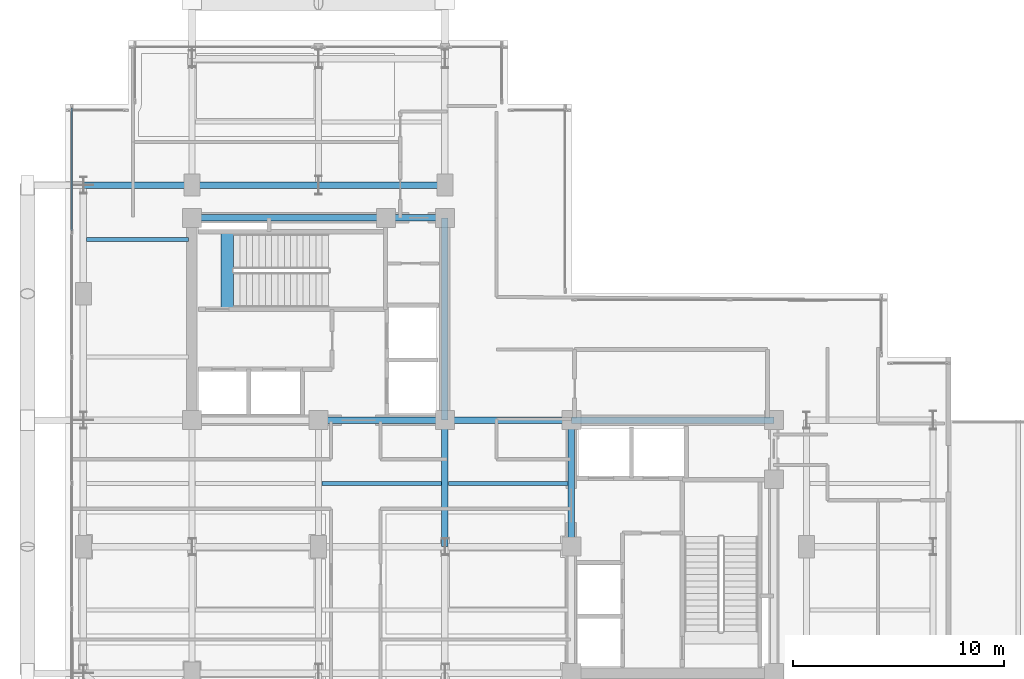
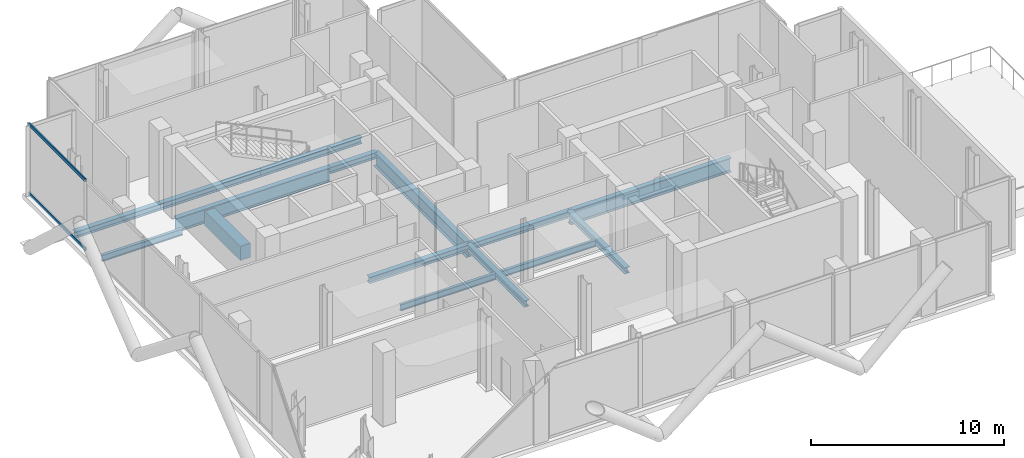
# One storey, part 6 of 19: 15 beams, 2 members, 1 element without a shape of its own.
"""IFC4 building model written with IfcOpenShell, lengths in metres."""

from ifc_helpers import new_model, si_unit, direction, frame, origin, origin_2d, place, context, subcontext, project, spatial, rectangle, hollow_rectangle, i_section, extrude, material, layer, layer_set, material_profile, profile_set, type_object, element, aggregate, save


model = new_model("IFC4")

# Units and contexts
model_context = context("Model", 3, precision=1e-05, world=origin(), true_north=direction((0.0, 1.0)))
body_context = subcontext(model_context, "Body", "Model", "MODEL_VIEW")
ifc_project = project(units=[si_unit("LENGTHUNIT", "METRE"), si_unit("AREAUNIT", "SQUARE_METRE"), si_unit("VOLUMEUNIT", "CUBIC_METRE"), si_unit("PLANEANGLEUNIT", "RADIAN"), si_unit("MASSUNIT", "GRAM", prefix="KILO"), si_unit("THERMODYNAMICTEMPERATUREUNIT", "KELVIN"), si_unit("POWERUNIT", "WATT")], contexts=[model_context])

# Site, building, storey
site_placement = place(None, origin())
site = spatial("IfcSite", under=ifc_project, at=site_placement, CompositionType="ELEMENT")
building_placement = place(site_placement, origin())
building = spatial("IfcBuilding", under=site, at=building_placement, Name="Svarakhadi Broadcast Tower", CompositionType="ELEMENT")
storey_placement = place(building_placement, frame((0.0, 0.0, 204.0)))
storey = spatial("IfcBuildingStorey", under=building, at=storey_placement, Name="L50", CompositionType="ELEMENT", Elevation=204.0)

# Beams
ifc_material_1 = material(Name="Steel S355J2 (IS 2062 E350C)", Category="steel")
ifc_material_profile_1 = material_profile(ifc_material_1, i_section(OverallWidth=0.179931640625, OverallDepth=0.39990234375, WebThickness=0.008544921875, FlangeThickness=0.013427734375, FilletRadius=0.02099609375, at=origin_2d()), Name="NPB 400x180x66")
ifc_profile_set_1 = profile_set([ifc_material_profile_1], Name="Steel S355J2 (IS 2062 E350C)")
beam_type_1 = type_object("IfcBeamType", Name="Beam_NPB400", PredefinedType="BEAM", material=ifc_profile_set_1)
beam_1_placement = place(storey_placement, frame((1.010009765625, 26.574951171875, -0.5), z_axis=(1.0, 0.0, 0.0), x_axis=(0.0, 1.0, 0.0)))
element("IfcBeam", 1, at=beam_1_placement, inside=storey, type_object=beam_type_1, Name="L50 Secondary Composite Beam SB004", PredefinedType="BEAM", context=body_context, shape_type="SweptSolid", body=[
    extrude(i_section(OverallWidth=0.179931640625, OverallDepth=0.39990234375, WebThickness=0.008544921875, FlangeThickness=0.013427734375, FilletRadius=0.02099609375, at=origin_2d()), origin(), (0.0, 0.0, 1.0), 4.830078125),
])
for number, where, z_axis, x_axis, name in (
    (2, (12.159912109375, 15.0, -0.5), (1.0, 0.0, 0.0), (0.0, 1.0, 0.0), "L50 Secondary Composite Beam SB011"),
    (3, (18.159912109375, 15.0, -0.5), (1.0, 0.0, 0.0), (0.0, 1.0, 0.0), "L50 Secondary Composite Beam SB015"),
):
    element("IfcBeam", number, at=place(storey_placement, frame(where, z_axis=z_axis, x_axis=x_axis)), inside=storey, type_object=beam_type_1, Name=name, PredefinedType="BEAM", context=body_context, shape_type="SweptSolid", body=[
        extrude(i_section(OverallWidth=0.179931640625, OverallDepth=0.39990234375, WebThickness=0.008544921875, FlangeThickness=0.013427734375, FilletRadius=0.02099609375, at=origin_2d()), origin(), (0.0, 0.0, 1.0), 5.68017578125),
    ])

# Curtain wall, members
ifc_material_2 = material(Name="Anodised Bronze Aluminium AA 6063-T6", Category="aluminium")
ifc_layer = layer(ifc_material_2, 0.239990234375)
ifc_layer_set = layer_set([ifc_layer], Name="Anodised Bronze Aluminium AA 6063-T6")
curtain_wall_type = type_object("IfcCurtainWallType", Name="CW_Sys_06", PredefinedType="NOTDEFINED", material=ifc_layer_set)
curtain_wall_placement = place(storey_placement, origin())
curtain_wall = element("IfcCurtainWall", 4, at=curtain_wall_placement, inside=storey, type_object=curtain_wall_type, Name="L50 Unitised Facade Curtain Wall 02", PredefinedType="NOTDEFINED")
ifc_material_profile_2 = material_profile(ifc_material_2, hollow_rectangle(XDim=0.080078125, YDim=0.2099609375, WallThickness=0.0048828125, at=origin_2d()), Name="ALU TRANSOM 210x80x5")
ifc_profile_set_2 = profile_set([ifc_material_profile_2], Name="Anodised Bronze Aluminium AA 6063-T6")
member_type = type_object("IfcMemberType", Name="CW_Sys_06_Trn", PredefinedType="USERDEFINED", material=ifc_profile_set_2)
member_1_placement = place(storey_placement, frame((0.300048828125, 26.990966796875, 0.0400390625), z_axis=(0.0, 1.0, 0.0), x_axis=(-1.0, 0.0, 0.0)))
member_1 = element("IfcMember", 5, at=member_1_placement, type_object=member_type, Name="CW-06 transom 5.1", ObjectType="TRANSOM", PredefinedType="USERDEFINED", context=body_context, shape_type="SweptSolid", body=[
    extrude(hollow_rectangle(XDim=0.080078125, YDim=0.2099609375, WallThickness=0.0048828125, at=origin_2d()), origin(), (0.0, 0.0, 1.0), 5.8291015625),
])
member_2_placement = place(storey_placement, frame((0.300048828125, 26.990966796875, 4.39990234375), z_axis=(0.0, 1.0, 0.0), x_axis=(-1.0, 0.0, 0.0)))
member_2 = element("IfcMember", 6, at=member_2_placement, type_object=member_type, Name="CW-06 transom 5.2", ObjectType="TRANSOM", PredefinedType="USERDEFINED", context=body_context, shape_type="SweptSolid", body=[
    extrude(hollow_rectangle(XDim=0.080078125, YDim=0.2099609375, WallThickness=0.0048828125, at=origin_2d()), origin(), (0.0, 0.0, 1.0), 5.8291015625),
])
aggregate(curtain_wall, [member_1, member_2])

# Beams
ifc_material_3 = material(Name="Concrete C50/60 (IS 456 M60)", Category="concrete")
ifc_material_profile_3 = material_profile(ifc_material_3, rectangle(XDim=0.60009765625, YDim=0.89990234375, at=origin_2d()), Name="RC 600x900")
ifc_profile_set_3 = profile_set([ifc_material_profile_3], Name="Concrete C50/60 (IS 456 M60)")
beam_type_2 = type_object("IfcBeamType", Name="Coupling_RC600", PredefinedType="USERDEFINED", material=ifc_profile_set_3)
beam_2_placement = place(storey_placement, frame((7.679931640625, 23.260009765625, -0.449951171875), z_axis=(0.0, 1.0, 0.0), x_axis=(-1.0, 0.0, 0.0)))
element("IfcBeam", 7, at=beam_2_placement, inside=storey, type_object=beam_type_2, Name="L50 Stair ST-01 Landing Throat Trimmer Beam CB-01", ObjectType="GIRDER", PredefinedType="USERDEFINED", context=body_context, shape_type="SweptSolid", body=[
    extrude(rectangle(XDim=0.60009765625, YDim=0.89990234375, at=origin_2d()), origin(), (0.0, 0.0, 1.0), 3.679931640625),
])
ifc_material_profile_4 = material_profile(ifc_material_1, i_section(OverallWidth=0.300048828125, OverallDepth=0.39990234375, WebThickness=0.013427734375, FlangeThickness=0.02392578125, FilletRadius=0.027099609375, at=origin_2d()), Name="WPB 400x300x155")
ifc_profile_set_4 = profile_set([ifc_material_profile_4], Name="Steel S355J2 (IS 2062 E350C)")
beam_type_3 = type_object("IfcBeamType", Name="Girder_WPB400", PredefinedType="USERDEFINED", material=ifc_profile_set_4)
for number, where, z_axis, x_axis, name in (
    (8, (12.0, 18.0, -0.5), (1.0, 0.0, 0.0), (0.0, 1.0, 0.0), "L50 Primary E-W Girder G022"),
    (9, (18.0, 18.0, -0.5), (1.0, 0.0, 0.0), (0.0, 1.0, 0.0), "L50 Primary E-W Girder G023"),
):
    element("IfcBeam", number, at=place(storey_placement, frame(where, z_axis=z_axis, x_axis=x_axis)), inside=storey, type_object=beam_type_3, Name=name, ObjectType="GIRDER", PredefinedType="USERDEFINED", context=body_context, shape_type="SweptSolid", body=[
        extrude(i_section(OverallWidth=0.300048828125, OverallDepth=0.39990234375, WebThickness=0.013427734375, FlangeThickness=0.02392578125, FilletRadius=0.027099609375, at=origin_2d()), origin(), (0.0, 0.0, 1.0), 6.0),
    ])
beam_3_placement = place(storey_placement, frame((15.199951171875, 27.60009765625, -0.5), z_axis=(1.0, 0.0, 0.0), x_axis=(0.0, 1.0, 0.0)))
element("IfcBeam", 10, at=beam_3_placement, inside=storey, type_object=beam_type_3, Name="L50 Primary E-W Girder G027", ObjectType="GIRDER", PredefinedType="USERDEFINED", context=body_context, shape_type="SweptSolid", body=[
    extrude(i_section(OverallWidth=0.300048828125, OverallDepth=0.39990234375, WebThickness=0.013427734375, FlangeThickness=0.02392578125, FilletRadius=0.027099609375, at=origin_2d()), origin(), (0.0, 0.0, 1.0), 2.800048828125),
])
beam_4_placement = place(storey_placement, frame((0.85009765625, 29.14990234375, -0.5), z_axis=(1.0, 0.0, 0.0), x_axis=(0.0, 1.0, 0.0)))
element("IfcBeam", 11, at=beam_4_placement, inside=storey, type_object=beam_type_3, Name="L50 Primary E-W Girder G028", ObjectType="GIRDER", PredefinedType="USERDEFINED", context=body_context, shape_type="SweptSolid", body=[
    extrude(i_section(OverallWidth=0.300048828125, OverallDepth=0.39990234375, WebThickness=0.013427734375, FlangeThickness=0.02392578125, FilletRadius=0.027099609375, at=origin_2d()), origin(), (0.0, 0.0, 1.0), 5.14990234375),
])
for number, where, z_axis, x_axis, name in (
    (12, (6.0, 29.14990234375, -0.5), (1.0, 0.0, 0.0), (0.0, 1.0, 0.0), "L50 Primary E-W Girder G029"),
    (13, (12.0, 29.14990234375, -0.5), (1.0, 0.0, 0.0), (0.0, 1.0, 0.0), "L50 Primary E-W Girder G030"),
    (14, (18.0, 12.0, -0.5), (0.0, 1.0, 0.0), (-1.0, 0.0, 0.0), "L50 Primary N-S Girder G048"),
    (15, (24.0, 12.0, -0.5), (0.0, 1.0, 0.0), (-1.0, 0.0, 0.0), "L50 Primary N-S Girder G053"),
):
    element("IfcBeam", number, at=place(storey_placement, frame(where, z_axis=z_axis, x_axis=x_axis)), inside=storey, type_object=beam_type_3, Name=name, ObjectType="GIRDER", PredefinedType="USERDEFINED", context=body_context, shape_type="SweptSolid", body=[
        extrude(i_section(OverallWidth=0.300048828125, OverallDepth=0.39990234375, WebThickness=0.013427734375, FlangeThickness=0.02392578125, FilletRadius=0.027099609375, at=origin_2d()), origin(), (0.0, 0.0, 1.0), 6.0),
    ])
ifc_material_4 = material(Name="Steel S460ML (IS 2062 E450BR)", Category="steel")
ifc_material_profile_5 = material_profile(ifc_material_4, i_section(OverallWidth=0.300048828125, OverallDepth=0.89990234375, WebThickness=0.0185546875, FlangeThickness=0.034912109375, FilletRadius=0.030029296875, at=origin_2d()), Name="WPB 900x300x291")
ifc_profile_set_5 = profile_set([ifc_material_profile_5], Name="Steel S460ML (IS 2062 E450BR)")
beam_type_4 = type_object("IfcBeamType", Name="Girder_WPB900", PredefinedType="USERDEFINED", material=ifc_profile_set_5)
beam_5_placement = place(storey_placement, frame((24.0, 18.0, -0.75), z_axis=(1.0, 0.0, 0.0), x_axis=(0.0, 1.0, 0.0)))
element("IfcBeam", 16, at=beam_5_placement, inside=storey, type_object=beam_type_4, Name="L50 Primary E-W Girder G024", ObjectType="GIRDER", PredefinedType="USERDEFINED", context=body_context, shape_type="SweptSolid", body=[
    extrude(i_section(OverallWidth=0.300048828125, OverallDepth=0.89990234375, WebThickness=0.0185546875, FlangeThickness=0.034912109375, FilletRadius=0.030029296875, at=origin_2d()), origin(), (0.0, 0.0, 1.0), 9.60009765625),
])
beam_6_placement = place(storey_placement, frame((6.0, 27.60009765625, -0.75), z_axis=(1.0, 0.0, 0.0), x_axis=(0.0, 1.0, 0.0)))
element("IfcBeam", 17, at=beam_6_placement, inside=storey, type_object=beam_type_4, Name="L50 Primary E-W Girder G026", ObjectType="GIRDER", PredefinedType="USERDEFINED", context=body_context, shape_type="SweptSolid", body=[
    extrude(i_section(OverallWidth=0.300048828125, OverallDepth=0.89990234375, WebThickness=0.0185546875, FlangeThickness=0.034912109375, FilletRadius=0.030029296875, at=origin_2d()), origin(), (0.0, 0.0, 1.0), 9.199951171875),
])
beam_7_placement = place(storey_placement, frame((18.0, 18.0, -0.75), z_axis=(0.0, 1.0, 0.0), x_axis=(-1.0, 0.0, 0.0)))
element("IfcBeam", 18, at=beam_7_placement, inside=storey, type_object=beam_type_4, Name="L50 Primary N-S Girder G049", ObjectType="GIRDER", PredefinedType="USERDEFINED", context=body_context, shape_type="SweptSolid", body=[
    extrude(i_section(OverallWidth=0.300048828125, OverallDepth=0.89990234375, WebThickness=0.0185546875, FlangeThickness=0.034912109375, FilletRadius=0.030029296875, at=origin_2d()), origin(), (0.0, 0.0, 1.0), 9.60009765625),
])

save(model, "model.ifc")
